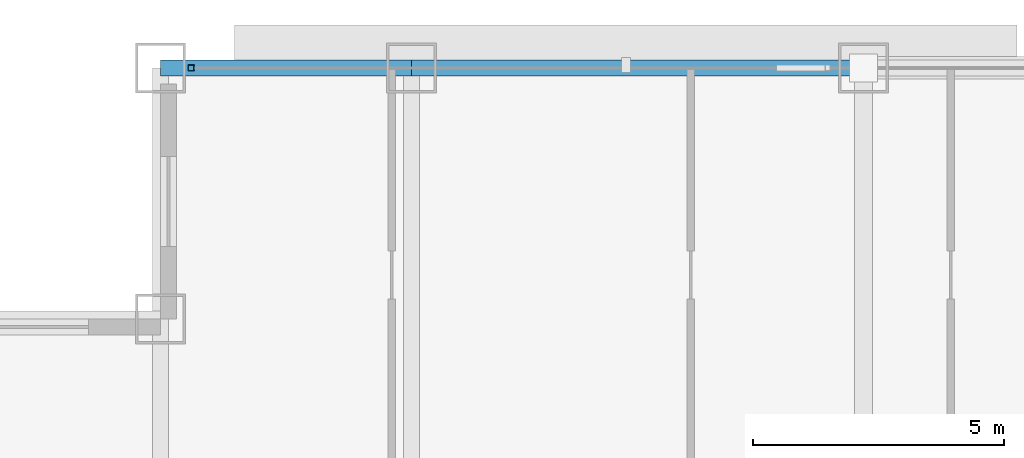
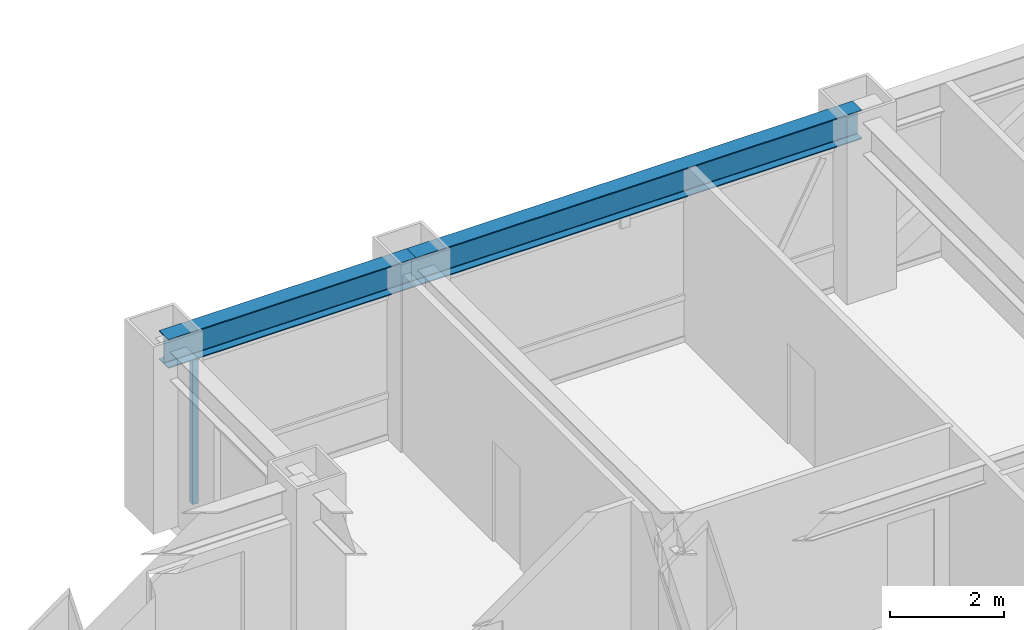
# One storey, part 14 of 29: 2 beams, 1 member, 1 element without a shape of its own.
"""IFC4 building model written with IfcOpenShell, lengths in metres."""

from ifc_helpers import new_model, si_unit, direction, frame, origin, origin_2d, place, context, subcontext, project, spatial, hollow_rectangle, i_section, extrude, source, transform, mapped, material, material_profile, profile_set, type_object, element, aggregate, save


model = new_model("IFC4")

# Units and contexts
model_context = context("Model", 3, precision=1e-05, world=origin(), true_north=direction((0.0, 1.0)))
body_context = subcontext(model_context, "Body", "Model", "MODEL_VIEW")
ifc_project = project(units=[si_unit("LENGTHUNIT", "METRE"), si_unit("AREAUNIT", "SQUARE_METRE"), si_unit("VOLUMEUNIT", "CUBIC_METRE"), si_unit("PLANEANGLEUNIT", "RADIAN"), si_unit("MASSUNIT", "GRAM", prefix="KILO")], contexts=[model_context])

# Site, building, storey
site_placement = place(None, origin())
site = spatial("IfcSite", under=ifc_project, at=site_placement, CompositionType="ELEMENT")
building_placement = place(site_placement, origin())
building = spatial("IfcBuilding", under=site, at=building_placement, Name="Khorayat Bourse Tower", CompositionType="ELEMENT")
storey_placement = place(building_placement, frame((0.0, 0.0, 239.10009765625)))
storey = spatial("IfcBuildingStorey", under=building, at=storey_placement, Name="L56", CompositionType="ELEMENT", Elevation=239.10009765625)

# Beams
ifc_material_1 = material(Name="Steel ASTM A992 Grade 50", Category="steel")
ifc_material_profile_1 = material_profile(ifc_material_1, i_section(OverallWidth=0.324951171875, OverallDepth=0.615966796875, WebThickness=0.013916015625, FlangeThickness=0.021484375, FilletRadius=0.01611328125, at=origin_2d()), Name="W610X174")
ifc_profile_set_1 = profile_set([ifc_material_profile_1], Name="Steel ASTM A992 Grade 50")
beam_type = type_object("IfcBeamType", Name="BM-SPAN-610", PredefinedType="SPANDREL", material=ifc_profile_set_1)
shared_shape_1 = source(origin(), body_context, "Body", "SweptSolid", [
    extrude(i_section(OverallWidth=0.324951171875, OverallDepth=0.615966796875, WebThickness=0.013916015625, FlangeThickness=0.021484375, FilletRadius=0.01611328125, at=origin_2d()), origin(), (0.0, 0.0, 1.0), 9.0),
])
beam_1_placement = place(storey_placement, frame((-20.0, 30.0, 3.471923828125), z_axis=(1.0, 0.0, 0.0), x_axis=(0.0, 1.0, 0.0)))
element("IfcBeam", 1, at=beam_1_placement, inside=storey, type_object=beam_type, Name="L56 BM-SPAN-610 BM-L56-SPN-050", PredefinedType="SPANDREL", context=body_context, shape_type="MappedRepresentation", body=[
    mapped(shared_shape_1, transform((0.0, 0.0, 0.0), scale=1.0)),
])
shared_shape_2 = source(origin(), body_context, "Body", "SweptSolid", [
    extrude(i_section(OverallWidth=0.324951171875, OverallDepth=0.615966796875, WebThickness=0.013916015625, FlangeThickness=0.021484375, FilletRadius=0.01611328125, at=origin_2d()), origin(), (0.0, 0.0, 1.0), 5.0),
])
beam_2_placement = place(storey_placement, frame((-25.0, 30.0, 3.471923828125), z_axis=(1.0, 0.0, 0.0), x_axis=(0.0, 1.0, 0.0)))
element("IfcBeam", 2, at=beam_2_placement, inside=storey, type_object=beam_type, Name="L56 BM-SPAN-610 BM-L56-SPN-051", PredefinedType="SPANDREL", context=body_context, shape_type="MappedRepresentation", body=[
    mapped(shared_shape_2, transform((0.0, 0.0, 0.0), scale=1.0)),
])

# Curtain wall, member
ifc_material_2 = material(Name="Aluminium EN AW-6063 T6", Category="aluminium")
curtain_wall_type = type_object("IfcCurtainWallType", Name="CW-SYS-03", PredefinedType="NOTDEFINED", material=ifc_material_2)
curtain_wall_placement = place(storey_placement, origin())
curtain_wall = element("IfcCurtainWall", 3, at=curtain_wall_placement, inside=storey, type_object=curtain_wall_type, Name="L56 Curtain Wall CW-L56-N1", PredefinedType="NOTDEFINED")
ifc_material_profile_2 = material_profile(ifc_material_2, hollow_rectangle(XDim=0.1201171875, YDim=0.1201171875, WallThickness=0.0048828125, at=origin_2d()), Name="ALU 120x120x5")
ifc_profile_set_2 = profile_set([ifc_material_profile_2], Name="Aluminium EN AW-6063 T6")
member_type = type_object("IfcMemberType", Name="CWM-VERT-120", PredefinedType="MULLION", material=ifc_profile_set_2)
shared_shape_3 = source(origin(), body_context, "Body", "SweptSolid", [
    extrude(hollow_rectangle(XDim=0.1201171875, YDim=0.1201171875, WallThickness=0.0048828125, at=origin_2d()), origin(), (0.0, 0.0, 1.0), 3.1298828125),
])
member_placement = place(storey_placement, frame((-24.389892578125, 30.0, 0.0), z_axis=(0.0, 0.0, 1.0), x_axis=(0.0, 1.0, 0.0)))
member = element("IfcMember", 4, at=member_placement, type_object=member_type, Name="CW-L56-N1 Vertical Mullion 1", PredefinedType="MULLION", context=body_context, shape_type="MappedRepresentation", body=[
    mapped(shared_shape_3, transform((0.0, 0.0, 0.0), scale=1.0)),
])
aggregate(curtain_wall, [member])

save(model, "model.ifc")
